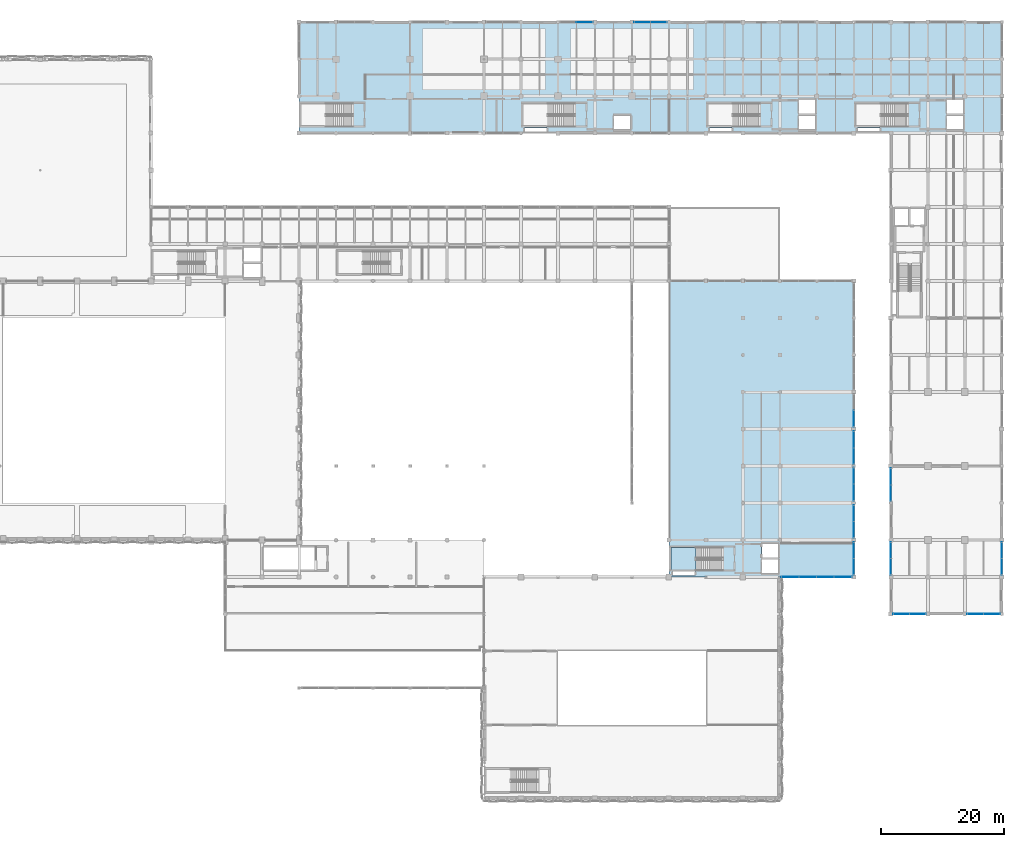
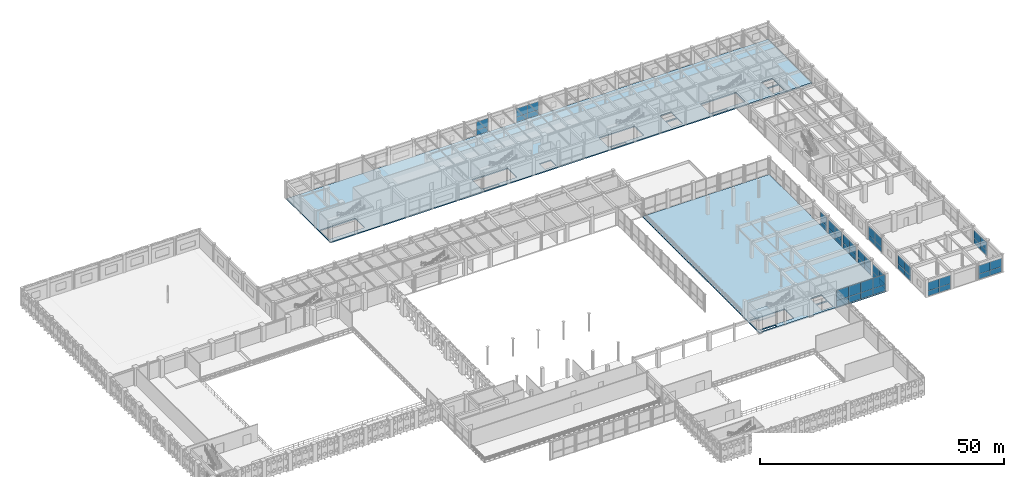
# One storey, part 80 of 116: 52 plates, 3 slabs, 14 elements without a shape of their own.
"""IFC4 building model written with IfcOpenShell, lengths in metres."""

from ifc_helpers import new_model, si_unit, direction, frame, frame_2d, origin, place, context, subcontext, project, spatial, polyline, rectangle, outline, extrude, material, layer, layer_set, type_object, element, aggregate, save


model = new_model("IFC4")

# Units and contexts
model_context = context("Model", 3, precision=1e-05, world=origin(), true_north=direction((0.0, 1.0)))
body_context = subcontext(model_context, "Body", "Model", "MODEL_VIEW")
ifc_project = project(units=[si_unit("LENGTHUNIT", "METRE"), si_unit("AREAUNIT", "SQUARE_METRE"), si_unit("VOLUMEUNIT", "CUBIC_METRE"), si_unit("PLANEANGLEUNIT", "RADIAN"), si_unit("MASSUNIT", "GRAM", prefix="KILO"), si_unit("THERMODYNAMICTEMPERATUREUNIT", "KELVIN"), si_unit("POWERUNIT", "WATT")], contexts=[model_context])

# Site, building, storey
site_placement = place(None, origin())
site = spatial("IfcSite", under=ifc_project, at=site_placement, CompositionType="ELEMENT")
building_placement = place(site_placement, origin())
building = spatial("IfcBuilding", under=site, at=building_placement, Name="Phaisarnlok Congress Hotel", CompositionType="ELEMENT")
storey_placement = place(building_placement, frame((0.0, 0.0, 10.5)))
storey = spatial("IfcBuildingStorey", under=building, at=storey_placement, Name="L02", CompositionType="ELEMENT", Elevation=10.5)

# Curtain wall, plates
ifc_material_1 = material(Name="Thermally Broken Unitised Aluminium & Low-E Glazing", Category="aluminium")
curtain_wall_type_1 = type_object("IfcCurtainWallType", Name="CW-UNIT-24", PredefinedType="NOTDEFINED", material=ifc_material_1)
curtain_wall_1_placement = place(storey_placement, origin())
curtain_wall_1 = element("IfcCurtainWall", 1, at=curtain_wall_1_placement, inside=storey, type_object=curtain_wall_type_1, Name="Unitised curtain wall CW-24 (L02)", PredefinedType="NOTDEFINED")
ifc_material_2 = material(Name="Double Low-E Insulated Glazing", Category="glass")
ifc_layer_1 = layer(ifc_material_2, 0.028076171875, Name="Double Low-E Insulated Glazing")
ifc_layer_set_1 = layer_set([ifc_layer_1], Name="Double Low-E Insulated Glazing")
plate_type = type_object("IfcPlateType", Name="CWP-GLZ-28", PredefinedType="CURTAIN_PANEL", material=ifc_layer_set_1)
plate_1_placement = place(storey_placement, frame((144.22802734375, 36.0, 0.0400390625), z_axis=(0.0, 0.0, 1.0), x_axis=(1.0, 0.0, 0.0)))
plate_1 = element("IfcPlate", 2, at=plate_1_placement, type_object=plate_type, Name="Glazed curtain panel CWP-01", PredefinedType="CURTAIN_PANEL", context=body_context, shape_type="SweptSolid", body=[
    extrude(rectangle(XDim=2.82421875, YDim=0.028076171875, at=frame_2d((1.412109375, 0.0))), origin(), (0.0, 0.0, 1.0), 1.571044921875),
])
plate_2_placement = place(storey_placement, frame((144.22802734375, 36.0, 1.611083984375), z_axis=(0.0, 0.0, 1.0), x_axis=(1.0, 0.0, 0.0)))
plate_2 = element("IfcPlate", 3, at=plate_2_placement, type_object=plate_type, Name="Glazed curtain panel CWP-01", PredefinedType="CURTAIN_PANEL", context=body_context, shape_type="SweptSolid", body=[
    extrude(rectangle(XDim=2.82421875, YDim=0.028076171875, at=frame_2d((1.412109375, 0.0))), origin(), (0.0, 0.0, 1.0), 2.5888671875),
])
plate_3_placement = place(storey_placement, frame((147.082275390625, 36.0, 0.0400390625), z_axis=(0.0, 0.0, 1.0), x_axis=(1.0, 0.0, 0.0)))
plate_3 = element("IfcPlate", 4, at=plate_3_placement, type_object=plate_type, Name="Glazed curtain panel CWP-01", PredefinedType="CURTAIN_PANEL", context=body_context, shape_type="SweptSolid", body=[
    extrude(rectangle(XDim=2.829345703125, YDim=0.028076171875, at=frame_2d((1.41455078125, 0.0))), origin(), (0.0, 0.0, 1.0), 1.571044921875),
])
plate_4_placement = place(storey_placement, frame((147.082275390625, 36.0, 1.611083984375), z_axis=(0.0, 0.0, 1.0), x_axis=(1.0, 0.0, 0.0)))
plate_4 = element("IfcPlate", 5, at=plate_4_placement, type_object=plate_type, Name="Glazed curtain panel CWP-01", PredefinedType="CURTAIN_PANEL", context=body_context, shape_type="SweptSolid", body=[
    extrude(rectangle(XDim=2.829345703125, YDim=0.028076171875, at=frame_2d((1.41455078125, 0.0))), origin(), (0.0, 0.0, 1.0), 2.5888671875),
])
plate_5_placement = place(storey_placement, frame((149.94140625, 36.0, 0.0400390625), z_axis=(0.0, 0.0, 1.0), x_axis=(1.0, 0.0, 0.0)))
plate_5 = element("IfcPlate", 6, at=plate_5_placement, type_object=plate_type, Name="Glazed curtain panel CWP-01", PredefinedType="CURTAIN_PANEL", context=body_context, shape_type="SweptSolid", body=[
    extrude(rectangle(XDim=2.829345703125, YDim=0.028076171875, at=frame_2d((1.41455078125, 0.0))), origin(), (0.0, 0.0, 1.0), 1.571044921875),
])
plate_6_placement = place(storey_placement, frame((149.94140625, 36.0, 1.611083984375), z_axis=(0.0, 0.0, 1.0), x_axis=(1.0, 0.0, 0.0)))
plate_6 = element("IfcPlate", 7, at=plate_6_placement, type_object=plate_type, Name="Glazed curtain panel CWP-01", PredefinedType="CURTAIN_PANEL", context=body_context, shape_type="SweptSolid", body=[
    extrude(rectangle(XDim=2.829345703125, YDim=0.028076171875, at=frame_2d((1.41455078125, 0.0))), origin(), (0.0, 0.0, 1.0), 2.5888671875),
])
plate_7_placement = place(storey_placement, frame((152.80078125, 36.0, 0.0400390625), z_axis=(0.0, 0.0, 1.0), x_axis=(1.0, 0.0, 0.0)))
plate_7 = element("IfcPlate", 8, at=plate_7_placement, type_object=plate_type, Name="Glazed curtain panel CWP-01", PredefinedType="CURTAIN_PANEL", context=body_context, shape_type="SweptSolid", body=[
    extrude(rectangle(XDim=2.82421875, YDim=0.028076171875, at=frame_2d((1.412109375, 0.0))), origin(), (0.0, 0.0, 1.0), 1.571044921875),
])
plate_8_placement = place(storey_placement, frame((152.80078125, 36.0, 1.611083984375), z_axis=(0.0, 0.0, 1.0), x_axis=(1.0, 0.0, 0.0)))
plate_8 = element("IfcPlate", 9, at=plate_8_placement, type_object=plate_type, Name="Glazed curtain panel CWP-01", PredefinedType="CURTAIN_PANEL", context=body_context, shape_type="SweptSolid", body=[
    extrude(rectangle(XDim=2.82421875, YDim=0.028076171875, at=frame_2d((1.412109375, 0.0))), origin(), (0.0, 0.0, 1.0), 2.5888671875),
])
aggregate(curtain_wall_1, [plate_1, plate_2, plate_3, plate_4, plate_5, plate_6, plate_7, plate_8])

curtain_wall_type_2 = type_object("IfcCurtainWallType", Name="CW-UNIT-16", PredefinedType="NOTDEFINED", material=ifc_material_1)
curtain_wall_2_placement = place(storey_placement, origin())
curtain_wall_2 = element("IfcCurtainWall", 10, at=curtain_wall_2_placement, inside=storey, type_object=curtain_wall_type_2, Name="Unitised curtain wall CW-16 (L02)", PredefinedType="NOTDEFINED")
plate_9_placement = place(storey_placement, frame((156.0, 36.375, 0.0400390625), z_axis=(0.0, 0.0, 1.0), x_axis=(0.0, 1.0, 0.0)))
plate_9 = element("IfcPlate", 11, at=plate_9_placement, type_object=plate_type, Name="Glazed curtain panel CWP-01", PredefinedType="CURTAIN_PANEL", context=body_context, shape_type="SweptSolid", body=[
    extrude(rectangle(XDim=2.62255859375, YDim=0.028076171875, at=frame_2d((1.311279296875, 0.0))), origin(), (0.0, 0.0, 1.0), 1.2861328125),
])
plate_10_placement = place(storey_placement, frame((156.0, 36.375, 1.326171875), z_axis=(0.0, 0.0, 1.0), x_axis=(0.0, 1.0, 0.0)))
plate_10 = element("IfcPlate", 12, at=plate_10_placement, type_object=plate_type, Name="Glazed curtain panel CWP-01", PredefinedType="CURTAIN_PANEL", context=body_context, shape_type="SweptSolid", body=[
    extrude(rectangle(XDim=2.62255859375, YDim=0.028076171875, at=frame_2d((1.311279296875, 0.0))), origin(), (0.0, 0.0, 1.0), 2.123779296875),
])
plate_11_placement = place(storey_placement, frame((156.0, 39.027587890625, 0.0400390625), z_axis=(0.0, 0.0, 1.0), x_axis=(0.0, 1.0, 0.0)))
plate_11 = element("IfcPlate", 13, at=plate_11_placement, type_object=plate_type, Name="Glazed curtain panel CWP-01", PredefinedType="CURTAIN_PANEL", context=body_context, shape_type="SweptSolid", body=[
    extrude(rectangle(XDim=2.622314453125, YDim=0.028076171875, at=frame_2d((1.31103515625, 0.0))), origin(), (0.0, 0.0, 1.0), 1.2861328125),
])
plate_12_placement = place(storey_placement, frame((156.0, 39.027587890625, 1.326171875), z_axis=(0.0, 0.0, 1.0), x_axis=(0.0, 1.0, 0.0)))
plate_12 = element("IfcPlate", 14, at=plate_12_placement, type_object=plate_type, Name="Glazed curtain panel CWP-01", PredefinedType="CURTAIN_PANEL", context=body_context, shape_type="SweptSolid", body=[
    extrude(rectangle(XDim=2.622314453125, YDim=0.028076171875, at=frame_2d((1.31103515625, 0.0))), origin(), (0.0, 0.0, 1.0), 2.123779296875),
])
aggregate(curtain_wall_2, [plate_9, plate_10, plate_11, plate_12])

curtain_wall_3_placement = place(storey_placement, origin())
curtain_wall_3 = element("IfcCurtainWall", 15, at=curtain_wall_3_placement, inside=storey, type_object=curtain_wall_type_2, Name="Unitised curtain wall CW-16 (L02)", PredefinedType="NOTDEFINED")
plate_13_placement = place(storey_placement, frame((156.0, 42.35009765625, 0.0400390625), z_axis=(0.0, 0.0, 1.0), x_axis=(0.0, 1.0, 0.0)))
plate_13 = element("IfcPlate", 16, at=plate_13_placement, type_object=plate_type, Name="Glazed curtain panel CWP-01", PredefinedType="CURTAIN_PANEL", context=body_context, shape_type="SweptSolid", body=[
    extrude(rectangle(XDim=2.622314453125, YDim=0.028076171875, at=frame_2d((1.31103515625, 0.0))), origin(), (0.0, 0.0, 1.0), 1.2861328125),
])
plate_14_placement = place(storey_placement, frame((156.0, 42.35009765625, 1.326171875), z_axis=(0.0, 0.0, 1.0), x_axis=(0.0, 1.0, 0.0)))
plate_14 = element("IfcPlate", 17, at=plate_14_placement, type_object=plate_type, Name="Glazed curtain panel CWP-01", PredefinedType="CURTAIN_PANEL", context=body_context, shape_type="SweptSolid", body=[
    extrude(rectangle(XDim=2.622314453125, YDim=0.028076171875, at=frame_2d((1.31103515625, 0.0))), origin(), (0.0, 0.0, 1.0), 2.123779296875),
])
plate_15_placement = place(storey_placement, frame((156.0, 45.00244140625, 0.0400390625), z_axis=(0.0, 0.0, 1.0), x_axis=(0.0, 1.0, 0.0)))
plate_15 = element("IfcPlate", 18, at=plate_15_placement, type_object=plate_type, Name="Glazed curtain panel CWP-01", PredefinedType="CURTAIN_PANEL", context=body_context, shape_type="SweptSolid", body=[
    extrude(rectangle(XDim=2.62255859375, YDim=0.028076171875, at=frame_2d((1.311279296875, 0.0))), origin(), (0.0, 0.0, 1.0), 1.2861328125),
])
plate_16_placement = place(storey_placement, frame((156.0, 45.00244140625, 1.326171875), z_axis=(0.0, 0.0, 1.0), x_axis=(0.0, 1.0, 0.0)))
plate_16 = element("IfcPlate", 19, at=plate_16_placement, type_object=plate_type, Name="Glazed curtain panel CWP-01", PredefinedType="CURTAIN_PANEL", context=body_context, shape_type="SweptSolid", body=[
    extrude(rectangle(XDim=2.62255859375, YDim=0.028076171875, at=frame_2d((1.311279296875, 0.0))), origin(), (0.0, 0.0, 1.0), 2.123779296875),
])
aggregate(curtain_wall_3, [plate_13, plate_14, plate_15, plate_16])

curtain_wall_type_3 = type_object("IfcCurtainWallType", Name="CW-UNIT-17", PredefinedType="NOTDEFINED", material=ifc_material_1)
curtain_wall_4_placement = place(storey_placement, origin())
curtain_wall_4 = element("IfcCurtainWall", 20, at=curtain_wall_4_placement, inside=storey, type_object=curtain_wall_type_3, Name="Unitised curtain wall CW-17 (L02)", PredefinedType="NOTDEFINED")
plate_17_placement = place(storey_placement, frame((156.0, 48.375, 0.0400390625), z_axis=(0.0, 0.0, 1.0), x_axis=(0.0, 1.0, 0.0)))
plate_17 = element("IfcPlate", 21, at=plate_17_placement, type_object=plate_type, Name="Glazed curtain panel CWP-01", PredefinedType="CURTAIN_PANEL", context=body_context, shape_type="SweptSolid", body=[
    extrude(rectangle(XDim=2.657958984375, YDim=0.028076171875, at=frame_2d((1.3291015625, 0.0))), origin(), (0.0, 0.0, 1.0), 1.2861328125),
])
plate_18_placement = place(storey_placement, frame((156.0, 48.375, 1.326171875), z_axis=(0.0, 0.0, 1.0), x_axis=(0.0, 1.0, 0.0)))
plate_18 = element("IfcPlate", 22, at=plate_18_placement, type_object=plate_type, Name="Glazed curtain panel CWP-01", PredefinedType="CURTAIN_PANEL", context=body_context, shape_type="SweptSolid", body=[
    extrude(rectangle(XDim=2.657958984375, YDim=0.028076171875, at=frame_2d((1.3291015625, 0.0))), origin(), (0.0, 0.0, 1.0), 2.123779296875),
])
plate_19_placement = place(storey_placement, frame((156.0, 51.06298828125, 0.0400390625), z_axis=(0.0, 0.0, 1.0), x_axis=(0.0, 1.0, 0.0)))
plate_19 = element("IfcPlate", 23, at=plate_19_placement, type_object=plate_type, Name="Glazed curtain panel CWP-01", PredefinedType="CURTAIN_PANEL", context=body_context, shape_type="SweptSolid", body=[
    extrude(rectangle(XDim=2.657958984375, YDim=0.028076171875, at=frame_2d((1.3291015625, 0.0))), origin(), (0.0, 0.0, 1.0), 1.2861328125),
])
plate_20_placement = place(storey_placement, frame((156.0, 51.06298828125, 1.326171875), z_axis=(0.0, 0.0, 1.0), x_axis=(0.0, 1.0, 0.0)))
plate_20 = element("IfcPlate", 24, at=plate_20_placement, type_object=plate_type, Name="Glazed curtain panel CWP-01", PredefinedType="CURTAIN_PANEL", context=body_context, shape_type="SweptSolid", body=[
    extrude(rectangle(XDim=2.657958984375, YDim=0.028076171875, at=frame_2d((1.3291015625, 0.0))), origin(), (0.0, 0.0, 1.0), 2.123779296875),
])
aggregate(curtain_wall_4, [plate_17, plate_18, plate_19, plate_20])

curtain_wall_5_placement = place(storey_placement, origin())
curtain_wall_5 = element("IfcCurtainWall", 25, at=curtain_wall_5_placement, inside=storey, type_object=curtain_wall_type_3, Name="Unitised curtain wall CW-17 (L02)", PredefinedType="NOTDEFINED")
plate_21_placement = place(storey_placement, frame((156.0, 54.279052734375, 0.0400390625), z_axis=(0.0, 0.0, 1.0), x_axis=(0.0, 1.0, 0.0)))
plate_21 = element("IfcPlate", 26, at=plate_21_placement, type_object=plate_type, Name="Glazed curtain panel CWP-01", PredefinedType="CURTAIN_PANEL", context=body_context, shape_type="SweptSolid", body=[
    extrude(rectangle(XDim=2.657958984375, YDim=0.028076171875, at=frame_2d((1.3291015625, 0.0))), origin(), (0.0, 0.0, 1.0), 1.2861328125),
])
plate_22_placement = place(storey_placement, frame((156.0, 54.279052734375, 1.326171875), z_axis=(0.0, 0.0, 1.0), x_axis=(0.0, 1.0, 0.0)))
plate_22 = element("IfcPlate", 27, at=plate_22_placement, type_object=plate_type, Name="Glazed curtain panel CWP-01", PredefinedType="CURTAIN_PANEL", context=body_context, shape_type="SweptSolid", body=[
    extrude(rectangle(XDim=2.657958984375, YDim=0.028076171875, at=frame_2d((1.3291015625, 0.0))), origin(), (0.0, 0.0, 1.0), 2.123779296875),
])
plate_23_placement = place(storey_placement, frame((156.0, 56.967041015625, 0.0400390625), z_axis=(0.0, 0.0, 1.0), x_axis=(0.0, 1.0, 0.0)))
plate_23 = element("IfcPlate", 28, at=plate_23_placement, type_object=plate_type, Name="Glazed curtain panel CWP-01", PredefinedType="CURTAIN_PANEL", context=body_context, shape_type="SweptSolid", body=[
    extrude(rectangle(XDim=2.657958984375, YDim=0.028076171875, at=frame_2d((1.3291015625, 0.0))), origin(), (0.0, 0.0, 1.0), 1.2861328125),
])
plate_24_placement = place(storey_placement, frame((156.0, 56.967041015625, 1.326171875), z_axis=(0.0, 0.0, 1.0), x_axis=(0.0, 1.0, 0.0)))
plate_24 = element("IfcPlate", 29, at=plate_24_placement, type_object=plate_type, Name="Glazed curtain panel CWP-01", PredefinedType="CURTAIN_PANEL", context=body_context, shape_type="SweptSolid", body=[
    extrude(rectangle(XDim=2.657958984375, YDim=0.028076171875, at=frame_2d((1.3291015625, 0.0))), origin(), (0.0, 0.0, 1.0), 2.123779296875),
])
aggregate(curtain_wall_5, [plate_21, plate_22, plate_23, plate_24])

curtain_wall_6_placement = place(storey_placement, origin())
curtain_wall_6 = element("IfcCurtainWall", 30, at=curtain_wall_6_placement, inside=storey, type_object=curtain_wall_type_2, Name="Unitised curtain wall CW-16 (L02)", PredefinedType="NOTDEFINED")
plate_25_placement = place(storey_placement, frame((156.0, 60.375, 0.0400390625), z_axis=(0.0, 0.0, 1.0), x_axis=(0.0, 1.0, 0.0)))
plate_25 = element("IfcPlate", 31, at=plate_25_placement, type_object=plate_type, Name="Glazed curtain panel CWP-01", PredefinedType="CURTAIN_PANEL", context=body_context, shape_type="SweptSolid", body=[
    extrude(rectangle(XDim=2.62255859375, YDim=0.028076171875, at=frame_2d((1.311279296875, 0.0))), origin(), (0.0, 0.0, 1.0), 1.2861328125),
])
plate_26_placement = place(storey_placement, frame((156.0, 60.375, 1.326171875), z_axis=(0.0, 0.0, 1.0), x_axis=(0.0, 1.0, 0.0)))
plate_26 = element("IfcPlate", 32, at=plate_26_placement, type_object=plate_type, Name="Glazed curtain panel CWP-01", PredefinedType="CURTAIN_PANEL", context=body_context, shape_type="SweptSolid", body=[
    extrude(rectangle(XDim=2.62255859375, YDim=0.028076171875, at=frame_2d((1.311279296875, 0.0))), origin(), (0.0, 0.0, 1.0), 2.123779296875),
])
aggregate(curtain_wall_6, [plate_25, plate_26])

curtain_wall_7_placement = place(storey_placement, origin())
curtain_wall_7 = element("IfcCurtainWall", 33, at=curtain_wall_7_placement, inside=storey, type_object=curtain_wall_type_3, Name="Unitised curtain wall CW-17 (L02)", PredefinedType="NOTDEFINED")
plate_27_placement = place(storey_placement, frame((162.0, 53.625, 0.0400390625), z_axis=(0.0, 0.0, 1.0), x_axis=(0.0, -1.0, 0.0)))
plate_27 = element("IfcPlate", 34, at=plate_27_placement, type_object=plate_type, Name="Glazed curtain panel CWP-01", PredefinedType="CURTAIN_PANEL", context=body_context, shape_type="SweptSolid", body=[
    extrude(rectangle(XDim=2.657958984375, YDim=0.028076171875, at=frame_2d((1.3291015625, 0.0))), origin(), (0.0, 0.0, 1.0), 1.2861328125),
])
plate_28_placement = place(storey_placement, frame((162.0, 53.625, 1.326171875), z_axis=(0.0, 0.0, 1.0), x_axis=(0.0, -1.0, 0.0)))
plate_28 = element("IfcPlate", 35, at=plate_28_placement, type_object=plate_type, Name="Glazed curtain panel CWP-01", PredefinedType="CURTAIN_PANEL", context=body_context, shape_type="SweptSolid", body=[
    extrude(rectangle(XDim=2.657958984375, YDim=0.028076171875, at=frame_2d((1.3291015625, 0.0))), origin(), (0.0, 0.0, 1.0), 2.123779296875),
])
plate_29_placement = place(storey_placement, frame((162.0, 50.93701171875, 0.0400390625), z_axis=(0.0, 0.0, 1.0), x_axis=(0.0, -1.0, 0.0)))
plate_29 = element("IfcPlate", 36, at=plate_29_placement, type_object=plate_type, Name="Glazed curtain panel CWP-01", PredefinedType="CURTAIN_PANEL", context=body_context, shape_type="SweptSolid", body=[
    extrude(rectangle(XDim=2.657958984375, YDim=0.028076171875, at=frame_2d((1.3291015625, 0.0))), origin(), (0.0, 0.0, 1.0), 1.2861328125),
])
plate_30_placement = place(storey_placement, frame((162.0, 50.93701171875, 1.326171875), z_axis=(0.0, 0.0, 1.0), x_axis=(0.0, -1.0, 0.0)))
plate_30 = element("IfcPlate", 37, at=plate_30_placement, type_object=plate_type, Name="Glazed curtain panel CWP-01", PredefinedType="CURTAIN_PANEL", context=body_context, shape_type="SweptSolid", body=[
    extrude(rectangle(XDim=2.657958984375, YDim=0.028076171875, at=frame_2d((1.3291015625, 0.0))), origin(), (0.0, 0.0, 1.0), 2.123779296875),
])
aggregate(curtain_wall_7, [plate_27, plate_28, plate_29, plate_30])

curtain_wall_8_placement = place(storey_placement, origin())
curtain_wall_8 = element("IfcCurtainWall", 38, at=curtain_wall_8_placement, inside=storey, type_object=curtain_wall_type_2, Name="Unitised curtain wall CW-16 (L02)", PredefinedType="NOTDEFINED")
plate_31_placement = place(storey_placement, frame((162.0, 41.625, 0.0400390625), z_axis=(0.0, 0.0, 1.0), x_axis=(0.0, -1.0, 0.0)))
plate_31 = element("IfcPlate", 39, at=plate_31_placement, type_object=plate_type, Name="Glazed curtain panel CWP-01", PredefinedType="CURTAIN_PANEL", context=body_context, shape_type="SweptSolid", body=[
    extrude(rectangle(XDim=2.62255859375, YDim=0.028076171875, at=frame_2d((1.311279296875, 0.0))), origin(), (0.0, 0.0, 1.0), 1.2861328125),
])
plate_32_placement = place(storey_placement, frame((162.0, 41.625, 1.326171875), z_axis=(0.0, 0.0, 1.0), x_axis=(0.0, -1.0, 0.0)))
plate_32 = element("IfcPlate", 40, at=plate_32_placement, type_object=plate_type, Name="Glazed curtain panel CWP-01", PredefinedType="CURTAIN_PANEL", context=body_context, shape_type="SweptSolid", body=[
    extrude(rectangle(XDim=2.62255859375, YDim=0.028076171875, at=frame_2d((1.311279296875, 0.0))), origin(), (0.0, 0.0, 1.0), 2.123779296875),
])
plate_33_placement = place(storey_placement, frame((162.0, 38.972412109375, 0.0400390625), z_axis=(0.0, 0.0, 1.0), x_axis=(0.0, -1.0, 0.0)))
plate_33 = element("IfcPlate", 41, at=plate_33_placement, type_object=plate_type, Name="Glazed curtain panel CWP-01", PredefinedType="CURTAIN_PANEL", context=body_context, shape_type="SweptSolid", body=[
    extrude(rectangle(XDim=2.622314453125, YDim=0.028076171875, at=frame_2d((1.31103515625, 0.0))), origin(), (0.0, 0.0, 1.0), 1.2861328125),
])
plate_34_placement = place(storey_placement, frame((162.0, 38.972412109375, 1.326171875), z_axis=(0.0, 0.0, 1.0), x_axis=(0.0, -1.0, 0.0)))
plate_34 = element("IfcPlate", 42, at=plate_34_placement, type_object=plate_type, Name="Glazed curtain panel CWP-01", PredefinedType="CURTAIN_PANEL", context=body_context, shape_type="SweptSolid", body=[
    extrude(rectangle(XDim=2.622314453125, YDim=0.028076171875, at=frame_2d((1.31103515625, 0.0))), origin(), (0.0, 0.0, 1.0), 2.123779296875),
])
aggregate(curtain_wall_8, [plate_31, plate_32, plate_33, plate_34])

curtain_wall_9_placement = place(storey_placement, origin())
curtain_wall_9 = element("IfcCurtainWall", 43, at=curtain_wall_9_placement, inside=storey, type_object=curtain_wall_type_2, Name="Unitised curtain wall CW-16 (L02)", PredefinedType="NOTDEFINED")
plate_35_placement = place(storey_placement, frame((162.375, 30.0, 0.0400390625), z_axis=(0.0, 0.0, 1.0), x_axis=(1.0, 0.0, 0.0)))
plate_35 = element("IfcPlate", 44, at=plate_35_placement, type_object=plate_type, Name="Glazed curtain panel CWP-01", PredefinedType="CURTAIN_PANEL", context=body_context, shape_type="SweptSolid", body=[
    extrude(rectangle(XDim=2.62255859375, YDim=0.028076171875, at=frame_2d((1.311279296875, 0.0))), origin(), (0.0, 0.0, 1.0), 1.293701171875),
])
plate_36_placement = place(storey_placement, frame((162.375, 30.0, 1.333740234375), z_axis=(0.0, 0.0, 1.0), x_axis=(1.0, 0.0, 0.0)))
plate_36 = element("IfcPlate", 45, at=plate_36_placement, type_object=plate_type, Name="Glazed curtain panel CWP-01", PredefinedType="CURTAIN_PANEL", context=body_context, shape_type="SweptSolid", body=[
    extrude(rectangle(XDim=2.62255859375, YDim=0.028076171875, at=frame_2d((1.311279296875, 0.0))), origin(), (0.0, 0.0, 1.0), 2.13623046875),
])
plate_37_placement = place(storey_placement, frame((165.027587890625, 30.0, 0.0400390625), z_axis=(0.0, 0.0, 1.0), x_axis=(1.0, 0.0, 0.0)))
plate_37 = element("IfcPlate", 46, at=plate_37_placement, type_object=plate_type, Name="Glazed curtain panel CWP-01", PredefinedType="CURTAIN_PANEL", context=body_context, shape_type="SweptSolid", body=[
    extrude(rectangle(XDim=2.622314453125, YDim=0.028076171875, at=frame_2d((1.31103515625, 0.0))), origin(), (0.0, 0.0, 1.0), 1.293701171875),
])
plate_38_placement = place(storey_placement, frame((165.027587890625, 30.0, 1.333740234375), z_axis=(0.0, 0.0, 1.0), x_axis=(1.0, 0.0, 0.0)))
plate_38 = element("IfcPlate", 47, at=plate_38_placement, type_object=plate_type, Name="Glazed curtain panel CWP-01", PredefinedType="CURTAIN_PANEL", context=body_context, shape_type="SweptSolid", body=[
    extrude(rectangle(XDim=2.622314453125, YDim=0.028076171875, at=frame_2d((1.31103515625, 0.0))), origin(), (0.0, 0.0, 1.0), 2.13623046875),
])
aggregate(curtain_wall_9, [plate_35, plate_36, plate_37, plate_38])

curtain_wall_10_placement = place(storey_placement, origin())
curtain_wall_10 = element("IfcCurtainWall", 48, at=curtain_wall_10_placement, inside=storey, type_object=curtain_wall_type_3, Name="Unitised curtain wall CW-17 (L02)", PredefinedType="NOTDEFINED")
plate_39_placement = place(storey_placement, frame((174.375, 30.0, 0.0400390625), z_axis=(0.0, 0.0, 1.0), x_axis=(1.0, 0.0, 0.0)))
plate_39 = element("IfcPlate", 49, at=plate_39_placement, type_object=plate_type, Name="Glazed curtain panel CWP-01", PredefinedType="CURTAIN_PANEL", context=body_context, shape_type="SweptSolid", body=[
    extrude(rectangle(XDim=2.657958984375, YDim=0.028076171875, at=frame_2d((1.3291015625, 0.0))), origin(), (0.0, 0.0, 1.0), 1.293701171875),
])
plate_40_placement = place(storey_placement, frame((174.375, 30.0, 1.333740234375), z_axis=(0.0, 0.0, 1.0), x_axis=(1.0, 0.0, 0.0)))
plate_40 = element("IfcPlate", 50, at=plate_40_placement, type_object=plate_type, Name="Glazed curtain panel CWP-01", PredefinedType="CURTAIN_PANEL", context=body_context, shape_type="SweptSolid", body=[
    extrude(rectangle(XDim=2.657958984375, YDim=0.028076171875, at=frame_2d((1.3291015625, 0.0))), origin(), (0.0, 0.0, 1.0), 2.13623046875),
])
plate_41_placement = place(storey_placement, frame((177.06298828125, 30.0, 0.0400390625), z_axis=(0.0, 0.0, 1.0), x_axis=(1.0, 0.0, 0.0)))
plate_41 = element("IfcPlate", 51, at=plate_41_placement, type_object=plate_type, Name="Glazed curtain panel CWP-01", PredefinedType="CURTAIN_PANEL", context=body_context, shape_type="SweptSolid", body=[
    extrude(rectangle(XDim=2.657958984375, YDim=0.028076171875, at=frame_2d((1.3291015625, 0.0))), origin(), (0.0, 0.0, 1.0), 1.293701171875),
])
plate_42_placement = place(storey_placement, frame((177.06298828125, 30.0, 1.333740234375), z_axis=(0.0, 0.0, 1.0), x_axis=(1.0, 0.0, 0.0)))
plate_42 = element("IfcPlate", 52, at=plate_42_placement, type_object=plate_type, Name="Glazed curtain panel CWP-01", PredefinedType="CURTAIN_PANEL", context=body_context, shape_type="SweptSolid", body=[
    extrude(rectangle(XDim=2.657958984375, YDim=0.028076171875, at=frame_2d((1.3291015625, 0.0))), origin(), (0.0, 0.0, 1.0), 2.13623046875),
])
aggregate(curtain_wall_10, [plate_39, plate_40, plate_41, plate_42])

curtain_wall_11_placement = place(storey_placement, origin())
curtain_wall_11 = element("IfcCurtainWall", 53, at=curtain_wall_11_placement, inside=storey, type_object=curtain_wall_type_2, Name="Unitised curtain wall CW-16 (L02)", PredefinedType="NOTDEFINED")
plate_43_placement = place(storey_placement, frame((180.0, 36.375, 0.0400390625), z_axis=(0.0, 0.0, 1.0), x_axis=(0.0, 1.0, 0.0)))
plate_43 = element("IfcPlate", 54, at=plate_43_placement, type_object=plate_type, Name="Glazed curtain panel CWP-01", PredefinedType="CURTAIN_PANEL", context=body_context, shape_type="SweptSolid", body=[
    extrude(rectangle(XDim=2.62255859375, YDim=0.028076171875, at=frame_2d((1.311279296875, 0.0))), origin(), (0.0, 0.0, 1.0), 1.2861328125),
])
plate_44_placement = place(storey_placement, frame((180.0, 36.375, 1.326171875), z_axis=(0.0, 0.0, 1.0), x_axis=(0.0, 1.0, 0.0)))
plate_44 = element("IfcPlate", 55, at=plate_44_placement, type_object=plate_type, Name="Glazed curtain panel CWP-01", PredefinedType="CURTAIN_PANEL", context=body_context, shape_type="SweptSolid", body=[
    extrude(rectangle(XDim=2.62255859375, YDim=0.028076171875, at=frame_2d((1.311279296875, 0.0))), origin(), (0.0, 0.0, 1.0), 2.123779296875),
])
plate_45_placement = place(storey_placement, frame((180.0, 39.027587890625, 0.0400390625), z_axis=(0.0, 0.0, 1.0), x_axis=(0.0, 1.0, 0.0)))
plate_45 = element("IfcPlate", 56, at=plate_45_placement, type_object=plate_type, Name="Glazed curtain panel CWP-01", PredefinedType="CURTAIN_PANEL", context=body_context, shape_type="SweptSolid", body=[
    extrude(rectangle(XDim=2.622314453125, YDim=0.028076171875, at=frame_2d((1.31103515625, 0.0))), origin(), (0.0, 0.0, 1.0), 1.2861328125),
])
plate_46_placement = place(storey_placement, frame((180.0, 39.027587890625, 1.326171875), z_axis=(0.0, 0.0, 1.0), x_axis=(0.0, 1.0, 0.0)))
plate_46 = element("IfcPlate", 57, at=plate_46_placement, type_object=plate_type, Name="Glazed curtain panel CWP-01", PredefinedType="CURTAIN_PANEL", context=body_context, shape_type="SweptSolid", body=[
    extrude(rectangle(XDim=2.622314453125, YDim=0.028076171875, at=frame_2d((1.31103515625, 0.0))), origin(), (0.0, 0.0, 1.0), 2.123779296875),
])
aggregate(curtain_wall_11, [plate_43, plate_44, plate_45, plate_46])

curtain_wall_12_placement = place(storey_placement, origin())
curtain_wall_12 = element("IfcCurtainWall", 58, at=curtain_wall_12_placement, inside=storey, type_object=curtain_wall_type_2, Name="Unitised curtain wall CW-16 (L02)", PredefinedType="NOTDEFINED")
plate_47_placement = place(storey_placement, frame((125.625, 126.0, 0.0400390625), z_axis=(0.0, 0.0, 1.0), x_axis=(-1.0, 0.0, 0.0)))
plate_47 = element("IfcPlate", 59, at=plate_47_placement, type_object=plate_type, Name="Glazed curtain panel CWP-01", PredefinedType="CURTAIN_PANEL", context=body_context, shape_type="SweptSolid", body=[
    extrude(rectangle(XDim=2.62255859375, YDim=0.028076171875, at=frame_2d((1.311279296875, 0.0))), origin(), (0.0, 0.0, 1.0), 1.2861328125),
])
plate_48_placement = place(storey_placement, frame((125.625, 126.0, 1.326171875), z_axis=(0.0, 0.0, 1.0), x_axis=(-1.0, 0.0, 0.0)))
plate_48 = element("IfcPlate", 60, at=plate_48_placement, type_object=plate_type, Name="Glazed curtain panel CWP-01", PredefinedType="CURTAIN_PANEL", context=body_context, shape_type="SweptSolid", body=[
    extrude(rectangle(XDim=2.62255859375, YDim=0.028076171875, at=frame_2d((1.311279296875, 0.0))), origin(), (0.0, 0.0, 1.0), 2.123779296875),
])
plate_49_placement = place(storey_placement, frame((122.972412109375, 126.0, 0.0400390625), z_axis=(0.0, 0.0, 1.0), x_axis=(-1.0, 0.0, 0.0)))
plate_49 = element("IfcPlate", 61, at=plate_49_placement, type_object=plate_type, Name="Glazed curtain panel CWP-01", PredefinedType="CURTAIN_PANEL", context=body_context, shape_type="SweptSolid", body=[
    extrude(rectangle(XDim=2.622314453125, YDim=0.028076171875, at=frame_2d((1.31103515625, 0.0))), origin(), (0.0, 0.0, 1.0), 1.2861328125),
])
plate_50_placement = place(storey_placement, frame((122.972412109375, 126.0, 1.326171875), z_axis=(0.0, 0.0, 1.0), x_axis=(-1.0, 0.0, 0.0)))
plate_50 = element("IfcPlate", 62, at=plate_50_placement, type_object=plate_type, Name="Glazed curtain panel CWP-01", PredefinedType="CURTAIN_PANEL", context=body_context, shape_type="SweptSolid", body=[
    extrude(rectangle(XDim=2.622314453125, YDim=0.028076171875, at=frame_2d((1.31103515625, 0.0))), origin(), (0.0, 0.0, 1.0), 2.123779296875),
])
aggregate(curtain_wall_12, [plate_47, plate_48, plate_49, plate_50])

curtain_wall_13_placement = place(storey_placement, origin())
curtain_wall_13 = element("IfcCurtainWall", 63, at=curtain_wall_13_placement, inside=storey, type_object=curtain_wall_type_3, Name="Unitised curtain wall CW-17 (L02)", PredefinedType="NOTDEFINED")
plate_51_placement = place(storey_placement, frame((113.625, 126.0, 0.0400390625), z_axis=(0.0, 0.0, 1.0), x_axis=(-1.0, 0.0, 0.0)))
plate_51 = element("IfcPlate", 64, at=plate_51_placement, type_object=plate_type, Name="Glazed curtain panel CWP-01", PredefinedType="CURTAIN_PANEL", context=body_context, shape_type="SweptSolid", body=[
    extrude(rectangle(XDim=2.657958984375, YDim=0.028076171875, at=frame_2d((1.3291015625, 0.0))), origin(), (0.0, 0.0, 1.0), 1.2861328125),
])
plate_52_placement = place(storey_placement, frame((113.625, 126.0, 1.326171875), z_axis=(0.0, 0.0, 1.0), x_axis=(-1.0, 0.0, 0.0)))
plate_52 = element("IfcPlate", 65, at=plate_52_placement, type_object=plate_type, Name="Glazed curtain panel CWP-01", PredefinedType="CURTAIN_PANEL", context=body_context, shape_type="SweptSolid", body=[
    extrude(rectangle(XDim=2.657958984375, YDim=0.028076171875, at=frame_2d((1.3291015625, 0.0))), origin(), (0.0, 0.0, 1.0), 2.123779296875),
])
aggregate(curtain_wall_13, [plate_51, plate_52])

# Slabs
ifc_material_3 = material(Name="Concrete C40/50", Category="concrete")
ifc_layer_2 = layer(ifc_material_3, 0.280029296875, Name="Concrete C40/50")
ifc_layer_set_2 = layer_set([ifc_layer_2], Name="Concrete C40/50")
slab_type_1 = type_object("IfcSlabType", Name="SLB-INT-280", PredefinedType="FLOOR", material=ifc_layer_set_2)
slab_1_placement = place(storey_placement, frame((0.0, 0.0, -0.280029296875)))
element("IfcSlab", 66, at=slab_1_placement, inside=storey, type_object=slab_type_1, Name="Floor slab SL-INT-280 (L02 v4_e)", PredefinedType="FLOOR", context=body_context, shape_type="SweptSolid", body=[
    extrude(outline(polyline([(156.0, 36.0), (156.0, 84.0), (126.0, 84.0), (126.0, 36.0), (156.0, 36.0)]), holes=[polyline([(134.719970703125, 40.800048828125), (126.300048828125, 40.800048828125), (126.300048828125, 37.0), (134.719970703125, 37.0), (134.719970703125, 40.800048828125)]), polyline([(143.75, 36.60009765625), (143.75, 38.85009765625), (141.10009765625, 38.85009765625), (141.10009765625, 36.60009765625), (143.75, 36.60009765625)]), polyline([(143.75, 39.14990234375), (143.75, 41.39990234375), (141.10009765625, 41.39990234375), (141.10009765625, 39.14990234375), (143.75, 39.14990234375)]), polyline([(130.199951171875, 36.25), (130.199951171875, 36.85009765625), (126.60009765625, 36.85009765625), (126.60009765625, 36.25), (130.199951171875, 36.25)])]), origin(), (0.0, 0.0, 1.0), 0.280029296875),
])
slab_2_placement = place(storey_placement, frame((0.0, 0.0, -0.280029296875)))
element("IfcSlab", 67, at=slab_2_placement, inside=storey, type_object=slab_type_1, Name="Floor slab SL-INT-280 (L02 v5_n)", PredefinedType="FLOOR", context=body_context, shape_type="SweptSolid", body=[
    extrude(outline(polyline([(180.0, 108.0), (180.0, 126.0), (66.0, 126.0), (66.0, 108.0), (180.0, 108.0)]), holes=[polyline([(164.719970703125, 112.800048828125), (156.300048828125, 112.800048828125), (156.300048828125, 109.0), (164.719970703125, 109.0), (164.719970703125, 112.800048828125)]), polyline([(140.719970703125, 112.800048828125), (132.300048828125, 112.800048828125), (132.300048828125, 109.0), (140.719970703125, 109.0), (140.719970703125, 112.800048828125)]), polyline([(110.719970703125, 112.800048828125), (102.300048828125, 112.800048828125), (102.300048828125, 109.0), (110.719970703125, 109.0), (110.719970703125, 112.800048828125)]), polyline([(74.719970703125, 112.800048828125), (66.300048828125, 112.800048828125), (66.300048828125, 109.0), (74.719970703125, 109.0), (74.719970703125, 112.800048828125)]), polyline([(173.75, 108.60009765625), (173.75, 110.85009765625), (171.10009765625, 110.85009765625), (171.10009765625, 108.60009765625), (173.75, 108.60009765625)]), polyline([(173.75, 111.14990234375), (173.75, 113.39990234375), (171.10009765625, 113.39990234375), (171.10009765625, 111.14990234375), (173.75, 111.14990234375)]), polyline([(160.199951171875, 108.25), (160.199951171875, 108.85009765625), (156.60009765625, 108.85009765625), (156.60009765625, 108.25), (160.199951171875, 108.25)]), polyline([(149.75, 108.60009765625), (149.75, 110.85009765625), (147.10009765625, 110.85009765625), (147.10009765625, 108.60009765625), (149.75, 108.60009765625)]), polyline([(149.75, 111.14990234375), (149.75, 113.39990234375), (147.10009765625, 113.39990234375), (147.10009765625, 111.14990234375), (149.75, 111.14990234375)]), polyline([(136.199951171875, 108.25), (136.199951171875, 108.85009765625), (132.60009765625, 108.85009765625), (132.60009765625, 108.25), (136.199951171875, 108.25)]), polyline([(119.75, 108.60009765625), (119.75, 110.85009765625), (117.10009765625, 110.85009765625), (117.10009765625, 108.60009765625), (119.75, 108.60009765625)]), polyline([(106.199951171875, 108.25), (106.199951171875, 108.85009765625), (102.60009765625, 108.85009765625), (102.60009765625, 108.25), (106.199951171875, 108.25)])]), origin(), (0.0, 0.0, 1.0), 0.280029296875),
])

# Stair, slab
stair_type = type_object("IfcStairType", Name="STR-DOG-03", PredefinedType="HALF_TURN_STAIR", material=ifc_material_3)
stair_placement = place(storey_placement, origin())
stair = element("IfcStair", 68, at=stair_placement, inside=storey, type_object=stair_type, Name="L02 ST-02", PredefinedType="HALF_TURN_STAIR")
ifc_layer_3 = layer(ifc_material_3, 0.199951171875, Name="Concrete C40/50")
ifc_layer_set_3 = layer_set([ifc_layer_3], Name="Concrete C40/50")
slab_type_2 = type_object("IfcSlabType", Name="SLB-LND-200", PredefinedType="LANDING", material=ifc_layer_set_3)
slab_3_placement = place(storey_placement, frame((0.0, 0.0, 2.050048828125)))
slab_3 = element("IfcSlab", 69, at=slab_3_placement, type_object=slab_type_2, Name="ST-02 landing 1", PredefinedType="LANDING", context=body_context, shape_type="SweptSolid", body=[
    extrude(outline(polyline([(130.3798828125, 40.800048828125), (126.300048828125, 40.800048828125), (126.300048828125, 37.0), (130.3798828125, 37.0), (130.3798828125, 40.800048828125)])), origin(), (0.0, 0.0, 1.0), 0.199951171875),
])
aggregate(stair, [slab_3])

save(model, "model.ifc")
